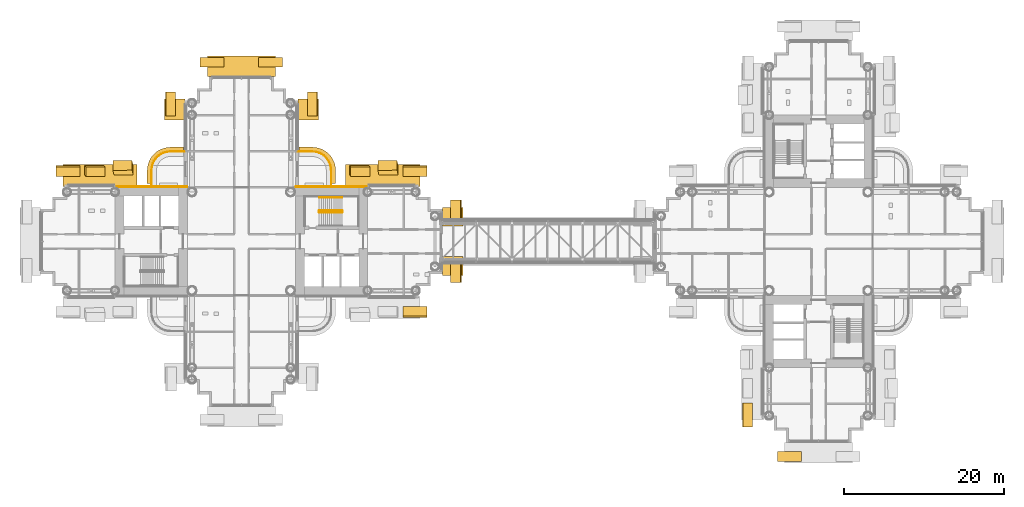
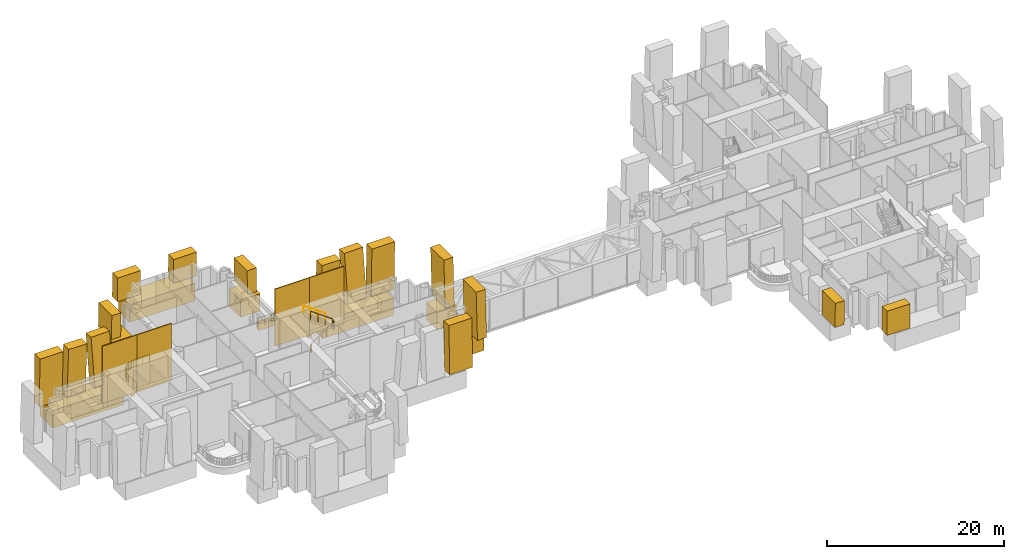
# One storey, part 24 of 27: 28 coverings, 4 railings.
"""IFC4 building model written with IfcOpenShell, lengths in metres."""

from ifc_helpers import new_model, si_unit, direction, frame, origin, origin_2d, place, context, subcontext, project, spatial, polyline, rectangle, circle, outline, extrude, material, layer, layer_set, material_profile, profile_set, type_object, element, save


model = new_model("IFC4")

# Units and contexts
model_context = context("Model", 3, precision=1e-05, world=origin(), true_north=direction((0.0, 1.0)))
body_context = subcontext(model_context, "Body", "Model", "MODEL_VIEW")
ifc_project = project(units=[si_unit("LENGTHUNIT", "METRE"), si_unit("AREAUNIT", "SQUARE_METRE"), si_unit("VOLUMEUNIT", "CUBIC_METRE"), si_unit("PLANEANGLEUNIT", "RADIAN"), si_unit("MASSUNIT", "GRAM", prefix="KILO")], contexts=[model_context])

# Site, building, storey
site_placement = place(None, origin())
site = spatial("IfcSite", under=ifc_project, at=site_placement, CompositionType="ELEMENT")
building_placement = place(site_placement, origin())
building = spatial("IfcBuilding", under=site, at=building_placement, Name="Ipe Terrace Towers", CompositionType="ELEMENT")
storey_placement = place(building_placement, frame((0.0, 0.0, 72.10009765625)))
storey = spatial("IfcBuildingStorey", under=building, at=storey_placement, Name="L19", CompositionType="ELEMENT", Elevation=72.10009765625)

# Railings
ifc_material_1 = material(Name="Stainless steel S316", Category="steel")
railing_type_1 = type_object("IfcRailingType", Name="GUARD 1100", PredefinedType="BALUSTRADE", material=ifc_material_1)
railing_1_placement = place(storey_placement, frame((-43.070068359375, 11.199951171875, -0.02001953125)))
element("IfcRailing", 1, at=railing_1_placement, inside=storey, type_object=railing_type_1, Name="guard", PredefinedType="BALUSTRADE", context=body_context, shape_type="SweptSolid", body=[
    extrude(circle(Radius=0.02392578125, at=origin_2d()), frame((0.0, 0.0, 1.076171875), z_axis=(-1.0, 0.0, 0.0), x_axis=(0.0, -1.0, 0.0)), (0.0, 0.0, 1.0), 1.77783203125),
    extrude(circle(Radius=0.02392578125, at=origin_2d()), frame((-1.77783203125, 0.0, 1.076171875), z_axis=(-0.99790894031, -0.064635492184, 0.0), x_axis=(0.064635492184, -0.99790894031, 0.0)), (0.0, 0.0, 1.0), 0.309814453125),
    extrude(circle(Radius=0.02392578125, at=origin_2d()), frame((-2.0869140625, -0.02001953125, 1.076171875), z_axis=(-0.980824674538, -0.194892169718, 0.0), x_axis=(0.194892169718, -0.980824674538, 0.0)), (0.0, 0.0, 1.0), 0.306884765625),
    extrude(circle(Radius=0.02392578125, at=origin_2d()), frame((-2.387939453125, -0.079833984375, 1.076171875), z_axis=(-0.946598348228, -0.322415209212, 0.0), x_axis=(0.322415209212, -0.946598348228, 0.0)), (0.0, 0.0, 1.0), 0.307373046875),
    extrude(circle(Radius=0.02392578125, at=origin_2d()), frame((-2.678955078125, -0.178955078125, 1.076171875), z_axis=(-0.896952807524, -0.44212629539, 0.0), x_axis=(0.44212629539, -0.896952807524, 0.0)), (0.0, 0.0, 1.0), 0.3076171875),
    extrude(circle(Radius=0.02392578125, at=origin_2d()), frame((-2.954833984375, -0.31494140625, 1.076171875), z_axis=(-0.831806228742, -0.555066120228, 0.0), x_axis=(0.555066120228, -0.831806228742, 0.0)), (0.0, 0.0, 1.0), 0.307861328125),
    extrude(circle(Radius=0.02392578125, at=origin_2d()), frame((-3.2109375, -0.48583984375, 1.076171875), z_axis=(-0.752478137252, -0.658617227954, 0.0), x_axis=(0.658617227954, -0.752478137252, 0.0)), (0.0, 0.0, 1.0), 0.306884765625),
    extrude(circle(Radius=0.02392578125, at=origin_2d()), frame((-3.44189453125, -0.68798828125, 1.076171875), z_axis=(-0.658617227954, -0.752478137252, 0.0), x_axis=(0.752478137252, -0.658617227954, 0.0)), (0.0, 0.0, 1.0), 0.306884765625),
    extrude(circle(Radius=0.02392578125, at=origin_2d()), frame((-3.64404296875, -0.9189453125, 1.076171875), z_axis=(-0.555066120228, -0.831806228742, 0.0), x_axis=(0.831806228742, -0.555066120228, 0.0)), (0.0, 0.0, 1.0), 0.307861328125),
    extrude(circle(Radius=0.02392578125, at=origin_2d()), frame((-3.81494140625, -1.175048828125, 1.076171875), z_axis=(-0.44212629539, -0.896952807524, 0.0), x_axis=(0.896952807524, -0.44212629539, 0.0)), (0.0, 0.0, 1.0), 0.3076171875),
    extrude(circle(Radius=0.02392578125, at=origin_2d()), frame((-3.950927734375, -1.450927734375, 1.076171875), z_axis=(-0.322415209212, -0.946598348228, 0.0), x_axis=(0.946598348228, -0.322415209212, 0.0)), (0.0, 0.0, 1.0), 0.307373046875),
    extrude(circle(Radius=0.02392578125, at=origin_2d()), frame((-4.050048828125, -1.741943359375, 1.076171875), z_axis=(-0.194892169718, -0.980824674538, 0.0), x_axis=(0.980824674538, -0.194892169718, 0.0)), (0.0, 0.0, 1.0), 0.306884765625),
    extrude(circle(Radius=0.02392578125, at=origin_2d()), frame((-4.10986328125, -2.04296875, 1.076171875), z_axis=(-0.064635492184, -0.99790894031, 0.0), x_axis=(0.99790894031, -0.064635492184, 0.0)), (0.0, 0.0, 1.0), 0.309814453125),
    extrude(circle(Radius=0.02392578125, at=origin_2d()), frame((-4.1298828125, -2.35205078125, 1.076171875), z_axis=(0.0, -1.0, 0.0), x_axis=(1.0, 0.0, 0.0)), (0.0, 0.0, 1.0), 1.77783203125),
    extrude(circle(Radius=0.02099609375, at=origin_2d()), origin(), (0.0, 0.0, 1.0), 1.052001953125),
    extrude(circle(Radius=0.02099609375, at=origin_2d()), frame((-0.888916015625, 0.0, 0.0)), (0.0, 0.0, 1.0), 1.052001953125),
    extrude(circle(Radius=0.02099609375, at=origin_2d()), frame((-1.77783203125, 0.0, 0.0)), (0.0, 0.0, 1.0), 1.052001953125),
    extrude(circle(Radius=0.02099609375, at=origin_2d()), frame((-2.0869140625, -0.02001953125, 0.0)), (0.0, 0.0, 1.0), 1.052001953125),
    extrude(circle(Radius=0.02099609375, at=origin_2d()), frame((-2.387939453125, -0.079833984375, 0.0)), (0.0, 0.0, 1.0), 1.052001953125),
    extrude(circle(Radius=0.02099609375, at=origin_2d()), frame((-2.678955078125, -0.178955078125, 0.0)), (0.0, 0.0, 1.0), 1.052001953125),
    extrude(circle(Radius=0.02099609375, at=origin_2d()), frame((-2.954833984375, -0.31494140625, 0.0)), (0.0, 0.0, 1.0), 1.052001953125),
    extrude(circle(Radius=0.02099609375, at=origin_2d()), frame((-3.2109375, -0.48583984375, 0.0)), (0.0, 0.0, 1.0), 1.052001953125),
    extrude(circle(Radius=0.02099609375, at=origin_2d()), frame((-3.44189453125, -0.68798828125, 0.0)), (0.0, 0.0, 1.0), 1.052001953125),
    extrude(circle(Radius=0.02099609375, at=origin_2d()), frame((-3.64404296875, -0.9189453125, 0.0)), (0.0, 0.0, 1.0), 1.052001953125),
    extrude(circle(Radius=0.02099609375, at=origin_2d()), frame((-3.81494140625, -1.175048828125, 0.0)), (0.0, 0.0, 1.0), 1.052001953125),
    extrude(circle(Radius=0.02099609375, at=origin_2d()), frame((-3.950927734375, -1.450927734375, 0.0)), (0.0, 0.0, 1.0), 1.052001953125),
    extrude(circle(Radius=0.02099609375, at=origin_2d()), frame((-4.050048828125, -1.741943359375, 0.0)), (0.0, 0.0, 1.0), 1.052001953125),
    extrude(circle(Radius=0.02099609375, at=origin_2d()), frame((-4.10986328125, -2.04296875, 0.0)), (0.0, 0.0, 1.0), 1.052001953125),
    extrude(circle(Radius=0.02099609375, at=origin_2d()), frame((-4.1298828125, -2.35205078125, 0.0)), (0.0, 0.0, 1.0), 1.052001953125),
    extrude(circle(Radius=0.02099609375, at=origin_2d()), frame((-4.1298828125, -3.240966796875, 0.0)), (0.0, 0.0, 1.0), 1.052001953125),
    extrude(circle(Radius=0.02099609375, at=origin_2d()), frame((-4.1298828125, -4.1298828125, 0.0)), (0.0, 0.0, 1.0), 1.052001953125),
])
railing_2_placement = place(storey_placement, frame((-24.800048828125, 7.070068359375, -0.02001953125)))
element("IfcRailing", 2, at=railing_2_placement, inside=storey, type_object=railing_type_1, Name="guard", PredefinedType="BALUSTRADE", context=body_context, shape_type="SweptSolid", body=[
    extrude(circle(Radius=0.02392578125, at=origin_2d()), frame((0.0, 0.0, 1.076171875), z_axis=(0.0, 1.0, 0.0), x_axis=(-1.0, 0.0, 0.0)), (0.0, 0.0, 1.0), 1.77783203125),
    extrude(circle(Radius=0.02392578125, at=origin_2d()), frame((0.0, 1.77783203125, 1.076171875), z_axis=(-0.064635492184, 0.99790894031, 0.0), x_axis=(-0.99790894031, -0.064635492184, 0.0)), (0.0, 0.0, 1.0), 0.309814453125),
    extrude(circle(Radius=0.02392578125, at=origin_2d()), frame((-0.02001953125, 2.0869140625, 1.076171875), z_axis=(-0.194892169718, 0.980824674538, 0.0), x_axis=(-0.980824674538, -0.194892169718, 0.0)), (0.0, 0.0, 1.0), 0.306884765625),
    extrude(circle(Radius=0.02392578125, at=origin_2d()), frame((-0.079833984375, 2.387939453125, 1.076171875), z_axis=(-0.322415209212, 0.946598348228, 0.0), x_axis=(-0.946598348228, -0.322415209212, 0.0)), (0.0, 0.0, 1.0), 0.307373046875),
    extrude(circle(Radius=0.02392578125, at=origin_2d()), frame((-0.178955078125, 2.678955078125, 1.076171875), z_axis=(-0.44212629539, 0.896952807524, 0.0), x_axis=(-0.896952807524, -0.44212629539, 0.0)), (0.0, 0.0, 1.0), 0.3076171875),
    extrude(circle(Radius=0.02392578125, at=origin_2d()), frame((-0.31494140625, 2.954833984375, 1.076171875), z_axis=(-0.555066120228, 0.831806228742, 0.0), x_axis=(-0.831806228742, -0.555066120228, 0.0)), (0.0, 0.0, 1.0), 0.307861328125),
    extrude(circle(Radius=0.02392578125, at=origin_2d()), frame((-0.48583984375, 3.2109375, 1.076171875), z_axis=(-0.658617227954, 0.752478137252, 0.0), x_axis=(-0.752478137252, -0.658617227954, 0.0)), (0.0, 0.0, 1.0), 0.306884765625),
    extrude(circle(Radius=0.02392578125, at=origin_2d()), frame((-0.68798828125, 3.44189453125, 1.076171875), z_axis=(-0.752478137252, 0.658617227954, 0.0), x_axis=(-0.658617227954, -0.752478137252, 0.0)), (0.0, 0.0, 1.0), 0.306884765625),
    extrude(circle(Radius=0.02392578125, at=origin_2d()), frame((-0.9189453125, 3.64404296875, 1.076171875), z_axis=(-0.831806228742, 0.555066120228, 0.0), x_axis=(-0.555066120228, -0.831806228742, 0.0)), (0.0, 0.0, 1.0), 0.307861328125),
    extrude(circle(Radius=0.02392578125, at=origin_2d()), frame((-1.175048828125, 3.81494140625, 1.076171875), z_axis=(-0.896952807524, 0.44212629539, 0.0), x_axis=(-0.44212629539, -0.896952807524, 0.0)), (0.0, 0.0, 1.0), 0.3076171875),
    extrude(circle(Radius=0.02392578125, at=origin_2d()), frame((-1.450927734375, 3.950927734375, 1.076171875), z_axis=(-0.946598348228, 0.322415209212, 0.0), x_axis=(-0.322415209212, -0.946598348228, 0.0)), (0.0, 0.0, 1.0), 0.307373046875),
    extrude(circle(Radius=0.02392578125, at=origin_2d()), frame((-1.741943359375, 4.050048828125, 1.076171875), z_axis=(-0.980824674538, 0.194892169718, 0.0), x_axis=(-0.194892169718, -0.980824674538, 0.0)), (0.0, 0.0, 1.0), 0.306884765625),
    extrude(circle(Radius=0.02392578125, at=origin_2d()), frame((-2.04296875, 4.10986328125, 1.076171875), z_axis=(-0.99790894031, 0.064635492184, 0.0), x_axis=(-0.064635492184, -0.99790894031, 0.0)), (0.0, 0.0, 1.0), 0.309814453125),
    extrude(circle(Radius=0.02392578125, at=origin_2d()), frame((-2.35205078125, 4.1298828125, 1.076171875), z_axis=(-1.0, 0.0, 0.0), x_axis=(0.0, -1.0, 0.0)), (0.0, 0.0, 1.0), 1.77783203125),
    extrude(circle(Radius=0.02099609375, at=origin_2d()), origin(), (0.0, 0.0, 1.0), 1.052001953125),
    extrude(circle(Radius=0.02099609375, at=origin_2d()), frame((0.0, 0.888916015625, 0.0)), (0.0, 0.0, 1.0), 1.052001953125),
    extrude(circle(Radius=0.02099609375, at=origin_2d()), frame((0.0, 1.77783203125, 0.0)), (0.0, 0.0, 1.0), 1.052001953125),
    extrude(circle(Radius=0.02099609375, at=origin_2d()), frame((-0.02001953125, 2.0869140625, 0.0)), (0.0, 0.0, 1.0), 1.052001953125),
    extrude(circle(Radius=0.02099609375, at=origin_2d()), frame((-0.079833984375, 2.387939453125, 0.0)), (0.0, 0.0, 1.0), 1.052001953125),
    extrude(circle(Radius=0.02099609375, at=origin_2d()), frame((-0.178955078125, 2.678955078125, 0.0)), (0.0, 0.0, 1.0), 1.052001953125),
    extrude(circle(Radius=0.02099609375, at=origin_2d()), frame((-0.31494140625, 2.954833984375, 0.0)), (0.0, 0.0, 1.0), 1.052001953125),
    extrude(circle(Radius=0.02099609375, at=origin_2d()), frame((-0.48583984375, 3.2109375, 0.0)), (0.0, 0.0, 1.0), 1.052001953125),
    extrude(circle(Radius=0.02099609375, at=origin_2d()), frame((-0.68798828125, 3.44189453125, 0.0)), (0.0, 0.0, 1.0), 1.052001953125),
    extrude(circle(Radius=0.02099609375, at=origin_2d()), frame((-0.9189453125, 3.64404296875, 0.0)), (0.0, 0.0, 1.0), 1.052001953125),
    extrude(circle(Radius=0.02099609375, at=origin_2d()), frame((-1.175048828125, 3.81494140625, 0.0)), (0.0, 0.0, 1.0), 1.052001953125),
    extrude(circle(Radius=0.02099609375, at=origin_2d()), frame((-1.450927734375, 3.950927734375, 0.0)), (0.0, 0.0, 1.0), 1.052001953125),
    extrude(circle(Radius=0.02099609375, at=origin_2d()), frame((-1.741943359375, 4.050048828125, 0.0)), (0.0, 0.0, 1.0), 1.052001953125),
    extrude(circle(Radius=0.02099609375, at=origin_2d()), frame((-2.04296875, 4.10986328125, 0.0)), (0.0, 0.0, 1.0), 1.052001953125),
    extrude(circle(Radius=0.02099609375, at=origin_2d()), frame((-2.35205078125, 4.1298828125, 0.0)), (0.0, 0.0, 1.0), 1.052001953125),
    extrude(circle(Radius=0.02099609375, at=origin_2d()), frame((-3.240966796875, 4.1298828125, 0.0)), (0.0, 0.0, 1.0), 1.052001953125),
    extrude(circle(Radius=0.02099609375, at=origin_2d()), frame((-4.1298828125, 4.1298828125, 0.0)), (0.0, 0.0, 1.0), 1.052001953125),
])

# Coverings
ifc_material_2 = material(Name="Concrete C50/60 precast, buff finish", Category="concrete")
ifc_layer_1 = layer(ifc_material_2, 0.1201171875)
ifc_layer_set_1 = layer_set([ifc_layer_1], Name="STONE CORE CLADDING 120")
covering_type_1 = type_object("IfcCoveringType", Name="STONE CORE CLADDING 120", PredefinedType="CLADDING", material=ifc_layer_set_1)
covering_1_placement = place(storey_placement, frame((-49.5009765625, 6.81005859375, 0.0), z_axis=(0.0, 0.0, 1.0), x_axis=(-1.0, 0.0, 0.0)))
element("IfcCovering", 3, at=covering_1_placement, inside=storey, type_object=covering_type_1, Name="stone core cladding", PredefinedType="CLADDING", context=body_context, shape_type="SweptSolid", body=[
    extrude(rectangle(XDim=4.5009765625, YDim=0.1201171875, at=origin_2d()), origin(), (0.0, 0.0, 1.0), 7.89990234375),
])
for number, where, z_axis, x_axis, name in (
    (4, (-45.0, 6.81005859375, 0.0), (0.0, 0.0, 1.0), (-1.0, 0.0, 0.0), "stone core cladding"),
    (5, (-27.0, 6.81005859375, 0.0), (0.0, 0.0, 1.0), (-1.0, 0.0, 0.0), "stone core cladding"),
):
    element("IfcCovering", number, at=place(storey_placement, frame(where, z_axis=z_axis, x_axis=x_axis)), inside=storey, type_object=covering_type_1, Name=name, PredefinedType="CLADDING", context=body_context, shape_type="SweptSolid", body=[
        extrude(rectangle(XDim=4.5, YDim=0.1201171875, at=origin_2d()), origin(), (0.0, 0.0, 1.0), 7.89990234375),
    ])
covering_2_placement = place(storey_placement, frame((-22.4990234375, 6.81005859375, 0.0), z_axis=(0.0, 0.0, 1.0), x_axis=(-1.0, 0.0, 0.0)))
element("IfcCovering", 6, at=covering_2_placement, inside=storey, type_object=covering_type_1, Name="stone core cladding", PredefinedType="CLADDING", context=body_context, shape_type="SweptSolid", body=[
    extrude(rectangle(XDim=4.5009765625, YDim=0.1201171875, at=origin_2d()), origin(), (0.0, 0.0, 1.0), 7.89990234375),
])
ifc_material_3 = material(Name="Concrete C50/60 precast, buff finish", Category="concrete")
ifc_layer_2 = layer(ifc_material_3, 0.5)
ifc_layer_set_2 = layer_set([ifc_layer_2], Name="STONE EDGE BAND 500 x 900")
covering_type_2 = type_object("IfcCoveringType", Name="STONE EDGE BAND 500 x 900", PredefinedType="CLADDING", material=ifc_layer_set_2)
covering_3_placement = place(storey_placement, frame((0.0, 0.0, -0.72021484375)))
element("IfcCovering", 7, at=covering_3_placement, inside=storey, type_object=covering_type_2, Name="stone edge band", PredefinedType="CLADDING", context=body_context, shape_type="SweptSolid", body=[
    extrude(outline(polyline([(-44.85009765625, 11.75), (-44.883056640625, 11.7490234375), (-45.196044921875, 11.72802734375), (-45.260986328125, 11.719970703125), (-45.569091796875, 11.658935546875), (-45.632080078125, 11.64208984375), (-45.928955078125, 11.541015625), (-45.989990234375, 11.51611328125), (-46.27099609375, 11.376953125), (-46.327880859375, 11.343994140625), (-46.589111328125, 11.169921875), (-46.64111328125, 11.1298828125), (-46.876953125, 10.923095703125), (-46.923095703125, 10.876953125), (-47.1298828125, 10.64111328125), (-47.169921875, 10.589111328125), (-47.343994140625, 10.327880859375), (-47.376953125, 10.27099609375), (-47.51611328125, 9.989990234375), (-47.541015625, 9.928955078125), (-47.64208984375, 9.632080078125), (-47.658935546875, 9.569091796875), (-47.719970703125, 9.260986328125), (-47.72802734375, 9.196044921875), (-47.7490234375, 8.883056640625), (-47.75, 8.85009765625), (-47.75, 7.199951171875), (-47.25, 7.199951171875), (-47.25, 8.85009765625), (-47.22900390625, 9.1630859375), (-47.16796875, 9.470947265625), (-47.06689453125, 9.76806640625), (-46.927978515625, 10.050048828125), (-46.75390625, 10.31103515625), (-46.547119140625, 10.547119140625), (-46.31103515625, 10.75390625), (-46.050048828125, 10.927978515625), (-45.76806640625, 11.06689453125), (-45.470947265625, 11.16796875), (-45.1630859375, 11.22900390625), (-44.85009765625, 11.25), (-43.199951171875, 11.25), (-43.199951171875, 11.75), (-44.85009765625, 11.75)])), origin(), (0.0, 0.0, 1.0), 0.900146484375),
])
covering_4_placement = place(storey_placement, frame((0.0, 0.0, -0.72021484375)))
element("IfcCovering", 8, at=covering_4_placement, inside=storey, type_object=covering_type_2, Name="stone edge band", PredefinedType="CLADDING", context=body_context, shape_type="SweptSolid", body=[
    extrude(outline(polyline([(-27.14990234375, 11.75), (-28.800048828125, 11.75), (-28.800048828125, 11.25), (-27.14990234375, 11.25), (-26.8369140625, 11.22900390625), (-26.529052734375, 11.16796875), (-26.23193359375, 11.06689453125), (-25.949951171875, 10.927978515625), (-25.68896484375, 10.75390625), (-25.452880859375, 10.547119140625), (-25.24609375, 10.31103515625), (-25.072021484375, 10.050048828125), (-24.93310546875, 9.76806640625), (-24.83203125, 9.470947265625), (-24.77099609375, 9.1630859375), (-24.75, 8.85009765625), (-24.75, 7.199951171875), (-24.25, 7.199951171875), (-24.25, 8.85009765625), (-24.2509765625, 8.883056640625), (-24.27197265625, 9.196044921875), (-24.280029296875, 9.260986328125), (-24.341064453125, 9.569091796875), (-24.35791015625, 9.632080078125), (-24.458984375, 9.928955078125), (-24.48388671875, 9.989990234375), (-24.623046875, 10.27099609375), (-24.656005859375, 10.327880859375), (-24.830078125, 10.589111328125), (-24.8701171875, 10.64111328125), (-25.076904296875, 10.876953125), (-25.123046875, 10.923095703125), (-25.35888671875, 11.1298828125), (-25.410888671875, 11.169921875), (-25.672119140625, 11.343994140625), (-25.72900390625, 11.376953125), (-26.010009765625, 11.51611328125), (-26.071044921875, 11.541015625), (-26.367919921875, 11.64208984375), (-26.430908203125, 11.658935546875), (-26.739013671875, 11.719970703125), (-26.803955078125, 11.72802734375), (-27.116943359375, 11.7490234375), (-27.14990234375, 11.75)])), origin(), (0.0, 0.0, 1.0), 0.900146484375),
])
ifc_material_4 = material(Name="Concrete C50/60 precast, buff finish", Category="concrete")
ifc_material_profile_1 = material_profile(ifc_material_4, rectangle(XDim=2.39990234375, YDim=1.199951171875, at=origin_2d()), Name="STONE FIN 2400 x 1200")
ifc_profile_set_1 = profile_set([ifc_material_profile_1], Name="Concrete C50/60 precast, buff finish")
covering_type_3 = type_object("IfcCoveringType", Name="STONE FIN 2400 x 1200", PredefinedType="USERDEFINED", material=ifc_profile_set_1)
covering_5_placement = place(storey_placement, frame((-21.300048828125, 8.8701171875, 1.199951171875), z_axis=(0.020286045552, -0.025093510566, 0.999479260457), x_axis=(-0.999794217005, -0.000509152872, 0.020279655014)))
element("IfcCovering", 9, at=covering_5_placement, inside=storey, type_object=covering_type_3, Name="stone fin", ObjectType="FIN", PredefinedType="USERDEFINED", context=body_context, shape_type="SweptSolid", body=[
    extrude(rectangle(XDim=2.39990234375, YDim=1.199951171875, at=origin_2d()), origin(), (0.0, 0.0, 1.0), 6.703369140625),
])
covering_6_placement = place(storey_placement, frame((-17.64990234375, 8.8701171875, 1.199951171875), z_axis=(-0.020210245286, 0.089912006855, 0.995744634436), x_axis=(-0.999795752134, -0.001817514937, -0.020128354477)))
element("IfcCovering", 10, at=covering_6_placement, inside=storey, type_object=covering_type_3, Name="stone fin", ObjectType="FIN", PredefinedType="USERDEFINED", context=body_context, shape_type="SweptSolid", body=[
    extrude(rectangle(XDim=2.39990234375, YDim=1.199951171875, at=origin_2d()), origin(), (0.0, 0.0, 1.0), 6.728515625),
])
covering_7_placement = place(storey_placement, frame((-54.35009765625, 8.8701171875, 1.199951171875), z_axis=(0.020286045552, -0.025093510566, 0.999479260457), x_axis=(-0.999794217005, -0.000509152872, 0.020279655014)))
element("IfcCovering", 11, at=covering_7_placement, inside=storey, type_object=covering_type_3, Name="stone fin", ObjectType="FIN", PredefinedType="USERDEFINED", context=body_context, shape_type="SweptSolid", body=[
    extrude(rectangle(XDim=2.39990234375, YDim=1.199951171875, at=origin_2d()), origin(), (0.0, 0.0, 1.0), 6.703369140625),
])
covering_8_placement = place(storey_placement, frame((-50.699951171875, 8.8701171875, 1.199951171875), z_axis=(-0.020210245286, 0.089912006855, 0.995744634436), x_axis=(-0.999795752134, -0.001817514937, -0.020128354477)))
element("IfcCovering", 12, at=covering_8_placement, inside=storey, type_object=covering_type_3, Name="stone fin", ObjectType="FIN", PredefinedType="USERDEFINED", context=body_context, shape_type="SweptSolid", body=[
    extrude(rectangle(XDim=2.39990234375, YDim=1.199951171875, at=origin_2d()), origin(), (0.0, 0.0, 1.0), 6.728515625),
])
ifc_material_5 = material(Name="Concrete C50/60 precast, buff finish", Category="concrete")
ifc_material_profile_2 = material_profile(ifc_material_5, rectangle(XDim=3.0, YDim=1.199951171875, at=origin_2d()), Name="STONE FIN CORNER 3000 x 1200")
ifc_profile_set_2 = profile_set([ifc_material_profile_2], Name="Concrete C50/60 precast, buff finish")
covering_type_4 = type_object("IfcCoveringType", Name="STONE FIN CORNER 3000 x 1200", PredefinedType="USERDEFINED", material=ifc_profile_set_2)
for number, where, z_axis, x_axis, name in (
    (13, (-9.1298828125, -3.64990234375, 1.199951171875), (-0.025098675446, 0.0, 0.999684978626), (0.0, 1.0, 0.0), "stone fin"),
    (14, (-9.1298828125, 3.64990234375, 1.199951171875), (-0.025098675446, 0.0, 0.999684978626), (0.0, 1.0, 0.0), "stone fin"),
    (15, (-14.35009765625, -8.8701171875, 1.199951171875), (0.0, 0.025098675446, 0.999684978626), (1.0, 0.0, 0.0), "stone fin"),
    (16, (-14.35009765625, 8.8701171875, 1.199951171875), (0.0, -0.025098675446, 0.999684978626), (-1.0, 0.0, 0.0), "stone fin"),
):
    element("IfcCovering", number, at=place(storey_placement, frame(where, z_axis=z_axis, x_axis=x_axis)), inside=storey, type_object=covering_type_4, Name=name, ObjectType="FIN", PredefinedType="USERDEFINED", context=body_context, shape_type="SweptSolid", body=[
        extrude(rectangle(XDim=3.0, YDim=1.199951171875, at=origin_2d()), origin(), (0.0, 0.0, 1.0), 6.7021484375),
    ])
for number, where, z_axis, x_axis, name in (
    (17, (-27.1298828125, 17.14990234375, 1.199951171875), (-0.012797649809, 0.0, 0.999918106726), (0.0, 1.0, 0.0), "stone fin"),
    (18, (-32.35009765625, 22.3701171875, 1.199951171875), (0.0, -0.012797649809, 0.999918106726), (-1.0, 0.0, 0.0), "stone fin"),
    (19, (-39.64990234375, 22.3701171875, 1.199951171875), (0.0, -0.012797649809, 0.999918106726), (-1.0, 0.0, 0.0), "stone fin"),
    (20, (-44.8701171875, 17.14990234375, 1.199951171875), (0.012797649809, 0.0, 0.999918106726), (0.0, -1.0, 0.0), "stone fin"),
):
    element("IfcCovering", number, at=place(storey_placement, frame(where, z_axis=z_axis, x_axis=x_axis)), inside=storey, type_object=covering_type_4, Name=name, ObjectType="FIN", PredefinedType="USERDEFINED", context=body_context, shape_type="SweptSolid", body=[
        extrude(rectangle(XDim=3.0, YDim=1.199951171875, at=origin_2d()), origin(), (0.0, 0.0, 1.0), 3.30029296875),
    ])
covering_9_placement = place(storey_placement, frame((-57.64990234375, 8.8701171875, 1.199951171875), z_axis=(0.0, -0.025098675446, 0.999684978626), x_axis=(-1.0, 0.0, 0.0)))
element("IfcCovering", 21, at=covering_9_placement, inside=storey, type_object=covering_type_4, Name="stone fin", ObjectType="FIN", PredefinedType="USERDEFINED", context=body_context, shape_type="SweptSolid", body=[
    extrude(rectangle(XDim=3.0, YDim=1.199951171875, at=origin_2d()), origin(), (0.0, 0.0, 1.0), 6.7021484375),
])
for number, where, z_axis, x_axis, name in (
    (22, (27.1298828125, -21.64990234375, 1.199951171875), (0.012797649809, 0.0, 0.999918106726), (0.0, -1.0, 0.0), "stone fin"),
    (23, (32.35009765625, -26.8701171875, 1.199951171875), (0.0, 0.012797649809, 0.999918106726), (1.0, 0.0, 0.0), "stone fin"),
):
    element("IfcCovering", number, at=place(storey_placement, frame(where, z_axis=z_axis, x_axis=x_axis)), inside=storey, type_object=covering_type_4, Name=name, ObjectType="FIN", PredefinedType="USERDEFINED", context=body_context, shape_type="SweptSolid", body=[
        extrude(rectangle(XDim=3.0, YDim=1.199951171875, at=origin_2d()), origin(), (0.0, 0.0, 1.0), 3.30029296875),
    ])
ifc_material_6 = material(Name="Concrete C50/60 precast, buff finish", Category="concrete")
ifc_material_profile_3 = material_profile(ifc_material_6, rectangle(XDim=2.56005859375, YDim=2.39990234375, at=origin_2d()), Name="STONE FIN SPANDREL 2560 x 2400")
ifc_profile_set_3 = profile_set([ifc_material_profile_3], Name="Concrete C50/60 precast, buff finish")
covering_type_5 = type_object("IfcCoveringType", Name="STONE FIN SPANDREL 2560 x 2400", PredefinedType="CLADDING", material=ifc_profile_set_3)
for number, where, z_axis, x_axis, name in (
    (24, (-9.659912109375, -4.25, 0.0), (0.0, 1.0, 0.0), (1.0, 0.0, 0.0), "stone fin spandrel"),
    (25, (-9.659912109375, 1.89990234375, 0.0), (0.0, 1.0, 0.0), (1.0, 0.0, 0.0), "stone fin spandrel"),
):
    element("IfcCovering", number, at=place(storey_placement, frame(where, z_axis=z_axis, x_axis=x_axis)), inside=storey, type_object=covering_type_5, Name=name, PredefinedType="CLADDING", context=body_context, shape_type="SweptSolid", body=[
        extrude(rectangle(XDim=2.56005859375, YDim=2.39990234375, at=origin_2d()), origin(), (0.0, 0.0, 1.0), 2.35009765625),
    ])
covering_10_placement = place(storey_placement, frame((-27.659912109375, 15.14990234375, 0.0), z_axis=(0.0, 1.0, 0.0), x_axis=(1.0, 0.0, 0.0)))
element("IfcCovering", 26, at=covering_10_placement, inside=storey, type_object=covering_type_5, Name="stone fin spandrel", PredefinedType="CLADDING", context=body_context, shape_type="SweptSolid", body=[
    extrude(rectangle(XDim=2.56005859375, YDim=2.39990234375, at=origin_2d()), origin(), (0.0, 0.0, 1.0), 2.60009765625),
])
covering_11_placement = place(storey_placement, frame((-31.75, 21.840087890625, 0.0), z_axis=(-1.0, 0.0, 0.0), x_axis=(0.0, 1.0, 0.0)))
element("IfcCovering", 27, at=covering_11_placement, inside=storey, type_object=covering_type_5, Name="stone fin spandrel", PredefinedType="CLADDING", context=body_context, shape_type="SweptSolid", body=[
    extrude(rectangle(XDim=2.56005859375, YDim=2.39990234375, at=origin_2d()), origin(), (0.0, 0.0, 1.0), 8.5),
])
covering_12_placement = place(storey_placement, frame((-44.340087890625, 17.75, 0.0), z_axis=(0.0, -1.0, 0.0), x_axis=(-1.0, 0.0, 0.0)))
element("IfcCovering", 28, at=covering_12_placement, inside=storey, type_object=covering_type_5, Name="stone fin spandrel", PredefinedType="CLADDING", context=body_context, shape_type="SweptSolid", body=[
    extrude(rectangle(XDim=2.56005859375, YDim=2.39990234375, at=origin_2d()), origin(), (0.0, 0.0, 1.0), 2.60009765625),
])
ifc_material_7 = material(Name="Concrete C50/60 precast, buff finish", Category="concrete")
ifc_material_profile_4 = material_profile(ifc_material_7, rectangle(XDim=2.760009765625, YDim=2.39990234375, at=origin_2d()), Name="STONE FIN SPANDREL 2760 x 2400")
ifc_profile_set_4 = profile_set([ifc_material_profile_4], Name="Concrete C50/60 precast, buff finish")
covering_type_6 = type_object("IfcCoveringType", Name="STONE FIN SPANDREL 2760 x 2400", PredefinedType="CLADDING", material=ifc_profile_set_4)
for number, where, z_axis, x_axis, name in (
    (29, (-13.75, 8.239990234375, 0.0), (-1.0, 0.0, 0.0), (0.0, 1.0, 0.0), "stone fin spandrel"),
    (30, (-49.0, 8.239990234375, 0.0), (-1.0, 0.0, 0.0), (0.0, 1.0, 0.0), "stone fin spandrel"),
):
    element("IfcCovering", number, at=place(storey_placement, frame(where, z_axis=z_axis, x_axis=x_axis)), inside=storey, type_object=covering_type_6, Name=name, PredefinedType="CLADDING", context=body_context, shape_type="SweptSolid", body=[
        extrude(rectangle(XDim=2.760009765625, YDim=2.39990234375, at=origin_2d()), origin(), (0.0, 0.0, 1.0), 9.25),
    ])

# Railings
ifc_material_8 = material(Name="Steel S355", Category="steel")
railing_type_2 = type_object("IfcRailingType", Name="Stair guard 1100", PredefinedType="GUARDRAIL", material=ifc_material_8)
railing_3_placement = place(storey_placement, frame((-26.35009765625, 3.800048828125, 0.0)))
element("IfcRailing", 31, at=railing_3_placement, inside=storey, type_object=railing_type_2, Name="L19 T1-ST1 stair guard 1", PredefinedType="GUARDRAIL", context=body_context, shape_type="SweptSolid", body=[
    extrude(circle(Radius=0.02392578125, at=origin_2d()), frame((0.0, 0.0, 1.076171875), z_axis=(0.0, -1.0, 0.0), x_axis=(1.0, 0.0, 0.0)), (0.0, 0.0, 1.0), 0.150146484375),
    extrude(circle(Radius=0.02392578125, at=origin_2d()), frame((0.0, -0.150146484375, 1.076171875), z_axis=(0.249802250048, -0.248583702486, 0.935844527007), x_axis=(0.705375805398, 0.708833529934, 0.0)), (0.0, 0.0, 1.0), 0.200439453125),
    extrude(circle(Radius=0.02392578125, at=origin_2d()), frame((0.050048828125, -0.199951171875, 1.263671875), z_axis=(0.811100754333, 0.0, 0.584906459462), x_axis=(0.0, 1.0, 0.0)), (0.0, 0.0, 1.0), 3.526123046875),
    extrude(circle(Radius=0.02392578125, at=origin_2d()), frame((2.91015625, -0.199951171875, 3.326171875), z_axis=(0.708833529934, 0.705375805398, 0.0), x_axis=(-0.705375805398, 0.708833529934, 0.0)), (0.0, 0.0, 1.0), 0.070556640625),
    extrude(circle(Radius=0.02392578125, at=origin_2d()), frame((2.960205078125, -0.150146484375, 3.326171875), z_axis=(0.0, 1.0, 0.0), x_axis=(-1.0, 0.0, 0.0)), (0.0, 0.0, 1.0), 0.150146484375),
    extrude(circle(Radius=0.02392578125, at=origin_2d()), frame((2.960205078125, 0.0, 3.326171875), z_axis=(-0.249726431254, 0.249726431254, 0.935560483917), x_axis=(-0.707106781187, -0.707106781187, 0.0)), (0.0, 0.0, 1.0), 0.200439453125),
    extrude(circle(Radius=0.02392578125, at=origin_2d()), frame((2.91015625, 0.050048828125, 3.513671875), z_axis=(-0.811100754333, 0.0, 0.584906459462), x_axis=(0.0, -1.0, 0.0)), (0.0, 0.0, 1.0), 3.526123046875),
    extrude(circle(Radius=0.02099609375, at=origin_2d()), origin(), (0.0, 0.0, 1.0), 1.052001953125),
    extrude(circle(Radius=0.02099609375, at=origin_2d()), frame((0.0, -0.150146484375, 0.0)), (0.0, 0.0, 1.0), 1.052001953125),
    extrude(circle(Radius=0.02099609375, at=origin_2d()), frame((0.050048828125, -0.199951171875, 0.1875)), (0.0, 0.0, 1.0), 1.052001953125),
    extrude(circle(Radius=0.02099609375, at=origin_2d()), frame((1.00341796875, -0.199951171875, 0.875)), (0.0, 0.0, 1.0), 1.052001953125),
    extrude(circle(Radius=0.02099609375, at=origin_2d()), frame((1.956787109375, -0.199951171875, 1.5625)), (0.0, 0.0, 1.0), 1.052001953125),
    extrude(circle(Radius=0.02099609375, at=origin_2d()), frame((2.91015625, -0.199951171875, 2.25)), (0.0, 0.0, 1.0), 1.052001953125),
    extrude(circle(Radius=0.02099609375, at=origin_2d()), frame((2.960205078125, -0.150146484375, 2.25)), (0.0, 0.0, 1.0), 1.052001953125),
    extrude(circle(Radius=0.02099609375, at=origin_2d()), frame((2.960205078125, 0.0, 2.25)), (0.0, 0.0, 1.0), 1.052001953125),
    extrude(circle(Radius=0.02099609375, at=origin_2d()), frame((2.91015625, 0.050048828125, 2.4375)), (0.0, 0.0, 1.0), 1.052001953125),
    extrude(circle(Radius=0.02099609375, at=origin_2d()), frame((1.956787109375, 0.050048828125, 3.125)), (0.0, 0.0, 1.0), 1.052001953125),
    extrude(circle(Radius=0.02099609375, at=origin_2d()), frame((1.00341796875, 0.050048828125, 3.8125)), (0.0, 0.0, 1.0), 1.052001953125),
    extrude(circle(Radius=0.02099609375, at=origin_2d()), frame((0.050048828125, 0.050048828125, 4.5)), (0.0, 0.0, 1.0), 1.052001953125),
])
ifc_material_9 = material(Name="Stainless steel grade 304", Category="steel")
railing_type_3 = type_object("IfcRailingType", Name="Stair handrail 900", PredefinedType="HANDRAIL", material=ifc_material_9)
railing_4_placement = place(storey_placement, frame((-23.43994140625, 5.5, 2.4375)))
element("IfcRailing", 32, at=railing_4_placement, inside=storey, type_object=railing_type_3, Name="L19 T1-ST1 stair handrail 2", PredefinedType="HANDRAIL", context=body_context, shape_type="SweptSolid", body=[
    extrude(circle(Radius=0.02392578125, at=origin_2d()), frame((0.0, 0.0, 0.8759765625), z_axis=(-0.811100754333, 0.0, 0.584906459462), x_axis=(0.0, -1.0, 0.0)), (0.0, 0.0, 1.0), 3.526123046875),
    extrude(circle(Radius=0.02099609375, at=origin_2d()), origin(), (0.0, 0.0, 1.0), 0.851806640625),
    extrude(circle(Radius=0.02099609375, at=origin_2d()), frame((-0.953369140625, 0.0, 0.6875)), (0.0, 0.0, 1.0), 0.851806640625),
    extrude(circle(Radius=0.02099609375, at=origin_2d()), frame((-1.90673828125, 0.0, 1.375)), (0.0, 0.0, 1.0), 0.851806640625),
    extrude(circle(Radius=0.02099609375, at=origin_2d()), frame((-2.860107421875, 0.0, 2.0625)), (0.0, 0.0, 1.0), 0.851806640625),
])

save(model, "model.ifc")
